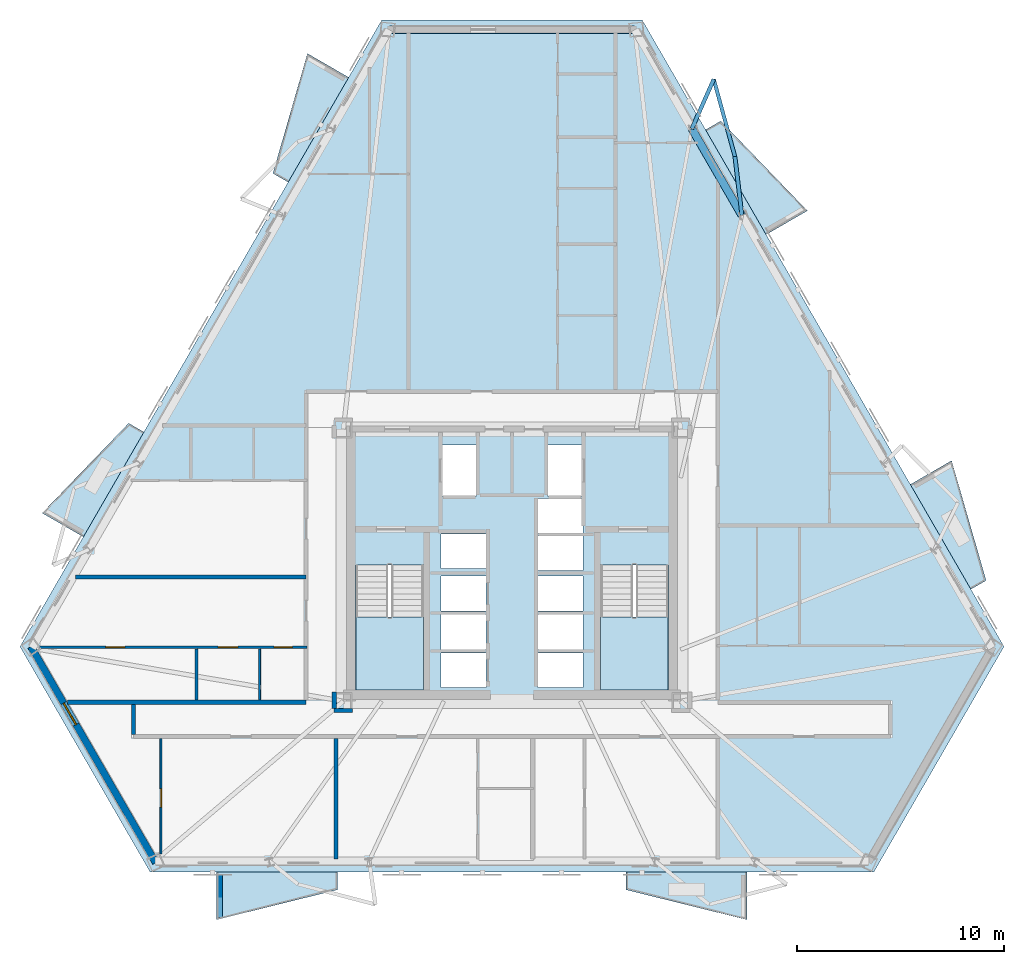
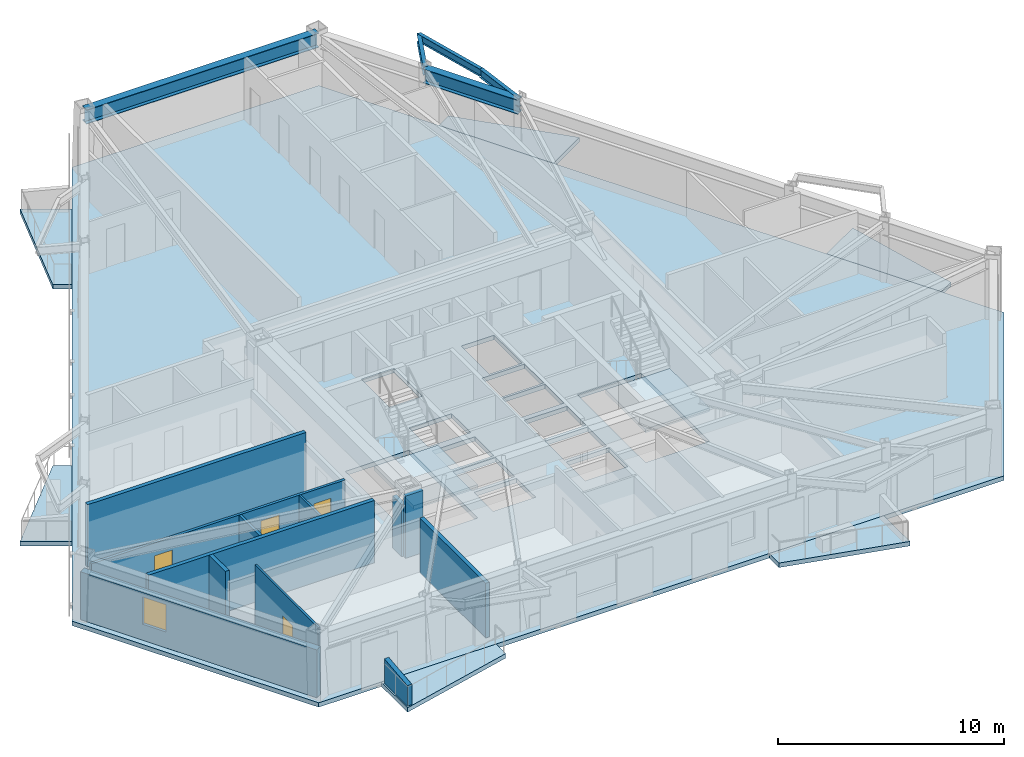
# One storey, part 2 of 10: 12 walls, 9 slabs, 5 beams, 4 doors, 1 window, 5 openings, 2 elements without a shape of their own.
"""IFC4 building model written with IfcOpenShell, lengths in metres."""

from ifc_helpers import new_model, si_unit, direction, frame, frame_2d, origin, origin_2d, place, context, subcontext, project, spatial, polyline, rectangle, i_section, outline, extrude, material, layer, layer_set, material_profile, profile_set, type_object, element, fill, aggregate, save


model = new_model("IFC4")

# Units and contexts
model_context = context("Model", 3, precision=1e-05, world=origin(), true_north=direction((0.0, 1.0)))
body_context = subcontext(model_context, "Body", "Model", "MODEL_VIEW")
ifc_project = project(units=[si_unit("LENGTHUNIT", "METRE"), si_unit("AREAUNIT", "SQUARE_METRE"), si_unit("VOLUMEUNIT", "CUBIC_METRE"), si_unit("PLANEANGLEUNIT", "RADIAN"), si_unit("MASSUNIT", "GRAM", prefix="KILO")], contexts=[model_context])

# Site, building, storey
site_placement = place(None, origin())
site = spatial("IfcSite", under=ifc_project, at=site_placement, CompositionType="ELEMENT")
building_placement = place(site_placement, origin())
building = spatial("IfcBuilding", under=site, at=building_placement, Name="Oramaril Tower", CompositionType="ELEMENT")
storey_placement = place(building_placement, frame((0.0, 0.0, 96.89990234375)))
storey = spatial("IfcBuildingStorey", under=building, at=storey_placement, Name="L25", CompositionType="ELEMENT", Elevation=96.89990234375)

# Beams
ifc_material_1 = material(Name="Steel ASTM A572 Gr 50", Category="steel")
ifc_material_profile_1 = material_profile(ifc_material_1, i_section(OverallWidth=0.19091796875, OverallDepth=0.45703125, WebThickness=0.009033203125, FlangeThickness=0.014404296875, at=origin_2d()), Name="W18X50")
ifc_profile_set_1 = profile_set([ifc_material_profile_1], Name="Steel ASTM A572 Gr 50")
beam_type_1 = type_object("IfcBeamType", Name="BT-BB1", PredefinedType="BEAM", material=ifc_profile_set_1)
beam_1_placement = place(storey_placement, frame((48.609375, 34.4853515625, 3.131591796875), z_axis=(-0.117297591597, 0.99309681049, 0.0), x_axis=(-0.99309681049, -0.117297591597, 0.0)))
element("IfcBeam", 1, at=beam_1_placement, inside=storey, type_object=beam_type_1, Name="L25 Balcony Column-Framed Cantilever 04.1", PredefinedType="BEAM", context=body_context, shape_type="SweptSolid", body=[
    extrude(i_section(OverallWidth=0.19091796875, OverallDepth=0.45703125, WebThickness=0.009033203125, FlangeThickness=0.014404296875, at=origin_2d()), origin(), (0.0, 0.0, 1.0), 2.855712890625),
])
beam_2_placement = place(storey_placement, frame((46.193115234375, 38.670166015625, 3.131591796875), z_axis=(0.40573886327, 0.913989045248, 0.0), x_axis=(-0.913989045248, 0.40573886327, 0.0)))
element("IfcBeam", 2, at=beam_2_placement, inside=storey, type_object=beam_type_1, Name="L25 Balcony Column-Framed Cantilever 04.2", PredefinedType="BEAM", context=body_context, shape_type="SweptSolid", body=[
    extrude(i_section(OverallWidth=0.19091796875, OverallDepth=0.45703125, WebThickness=0.009033203125, FlangeThickness=0.014404296875, at=origin_2d()), origin(), (0.0, 0.0, 1.0), 2.60791015625),
])
ifc_material_2 = material(Name="Steel ASTM A572 Gr 50", Category="steel")
ifc_material_profile_2 = material_profile(ifc_material_2, i_section(OverallWidth=0.177978515625, OverallDepth=0.404052734375, WebThickness=0.007568359375, FlangeThickness=0.010986328125, at=origin_2d()), Name="W16X36")
ifc_profile_set_2 = profile_set([ifc_material_profile_2], Name="Steel ASTM A572 Gr 50")
beam_type_2 = type_object("IfcBeamType", Name="BT-SB1", PredefinedType="BEAM", material=ifc_profile_set_2)
beam_3_placement = place(storey_placement, frame((48.2744140625, 37.3212890625, 3.158203125), z_axis=(-0.264382243015, 0.964417974521, 0.0), x_axis=(-0.964417974521, -0.264382243015, 0.0)))
element("IfcBeam", 3, at=beam_3_placement, inside=storey, type_object=beam_type_2, Name="L25 Balcony Edge Tie Beam 04", PredefinedType="BEAM", context=body_context, shape_type="SweptSolid", body=[
    extrude(i_section(OverallWidth=0.177978515625, OverallDepth=0.404052734375, WebThickness=0.007568359375, FlangeThickness=0.010986328125, at=origin_2d()), origin(), (0.0, 0.0, 1.0), 3.8701171875),
])
ifc_material_3 = material(Name="Steel ASTM A572 Gr 50", Category="steel")
ifc_material_profile_3 = material_profile(ifc_material_3, i_section(OverallWidth=0.381103515625, OverallDepth=0.77197265625, WebThickness=0.0166015625, FlangeThickness=0.027099609375, at=origin_2d()), Name="W30X173")
ifc_profile_set_3 = profile_set([ifc_material_profile_3], Name="Steel ASTM A572 Gr 50")
beam_type_3 = type_object("IfcBeamType", Name="BT-SP2", PredefinedType="SPANDREL", material=ifc_profile_set_3)
beam_4_placement = place(storey_placement, frame((48.609375, 34.4853515625, 2.97412109375), z_axis=(-0.500024214217, 0.866011423248, 0.0), x_axis=(-0.866011423248, -0.500024214217, 0.0)))
element("IfcBeam", 4, at=beam_4_placement, inside=storey, type_object=beam_type_3, Name="L25 Perimeter Spandrel 11", PredefinedType="SPANDREL", context=body_context, shape_type="SweptSolid", body=[
    extrude(i_section(OverallWidth=0.381103515625, OverallDepth=0.77197265625, WebThickness=0.0166015625, FlangeThickness=0.027099609375, at=origin_2d()), origin(), (0.0, 0.0, 1.0), 4.832275390625),
])
beam_5_placement = place(storey_placement, frame((43.431884765625, 43.452880859375, 2.97412109375), z_axis=(-1.0, 0.0, 0.0), x_axis=(0.0, -1.0, 0.0)))
element("IfcBeam", 5, at=beam_5_placement, inside=storey, type_object=beam_type_3, Name="L25 Perimeter Spandrel 13", PredefinedType="SPANDREL", context=body_context, shape_type="SweptSolid", body=[
    extrude(i_section(OverallWidth=0.381103515625, OverallDepth=0.77197265625, WebThickness=0.0166015625, FlangeThickness=0.027099609375, at=origin_2d()), origin(), (0.0, 0.0, 1.0), 11.86376953125),
])

# Slabs
ifc_material_4 = material(Name="Concrete C40/50", Category="concrete")
ifc_layer_1 = layer(ifc_material_4, 0.199951171875)
ifc_layer_set_1 = layer_set([ifc_layer_1], Name="SLT-BAL20")
slab_type_1 = type_object("IfcSlabType", Name="SLT-BAL20", PredefinedType="FLOOR", material=ifc_layer_set_1)
slab_1_placement = place(storey_placement, frame((0.0, 0.0, -0.239990234375)))
element("IfcSlab", 6, at=slab_1_placement, inside=storey, type_object=slab_type_1, Name="L25 Cantilevered Balcony Slab L25-BAL-S1", PredefinedType="FLOOR", context=body_context, shape_type="SweptSolid", body=[
    extrude(outline(polyline([(23.2158203125, 2.740478515625), (29.06591796875, 2.740478515625), (29.06591796875, 1.888671875), (23.2158203125, 0.438720703125), (23.2158203125, 2.740478515625)])), origin(), (0.0, 0.0, 1.0), 0.239990234375),
])
slab_2_placement = place(storey_placement, frame((0.0, 0.0, -0.239990234375)))
element("IfcSlab", 7, at=slab_2_placement, inside=storey, type_object=slab_type_1, Name="L25 Cantilevered Balcony Slab L25-BAL-NE2", PredefinedType="FLOOR", context=body_context, shape_type="SweptSolid", body=[
    extrude(outline(polyline([(49.779296875, 33.550537109375), (46.854248046875, 38.616943359375), (47.592041015625, 39.04296875), (51.772705078125, 34.70166015625), (49.779296875, 33.550537109375)])), origin(), (0.0, 0.0, 1.0), 0.239990234375),
])
slab_3_placement = place(storey_placement, frame((0.0, 0.0, -0.239990234375)))
element("IfcSlab", 8, at=slab_3_placement, inside=storey, type_object=slab_type_1, Name="L25 Cantilevered Balcony Slab L25-BAL-NW1", PredefinedType="FLOOR", context=body_context, shape_type="SweptSolid", body=[
    extrude(outline(polyline([(29.6083984375, 41.14990234375), (26.683349609375, 36.083740234375), (25.945556640625, 36.509765625), (27.61474609375, 42.301025390625), (29.6083984375, 41.14990234375)])), origin(), (0.0, 0.0, 1.0), 0.239990234375),
])
ifc_material_5 = material(Name="Concrete C50/60", Category="concrete")
ifc_layer_2 = layer(ifc_material_5, 0.239990234375)
ifc_layer_set_2 = layer_set([ifc_layer_2], Name="SLT-FLR24")
slab_type_2 = type_object("IfcSlabType", Name="SLT-FLR24", PredefinedType="FLOOR", material=ifc_layer_set_2)
slab_4_placement = place(storey_placement, frame((0.0, 0.0, -0.239990234375)))
element("IfcSlab", 9, at=slab_4_placement, inside=storey, type_object=slab_type_2, Name="L25 Structural Floor Slab", PredefinedType="FLOOR", context=body_context, shape_type="SweptSolid", body=[
    extrude(outline(polyline([(13.72265625, 13.63916015625), (20.015869140625, 2.738525390625), (54.984130859375, 2.738525390625), (61.27734375, 13.63916015625), (43.79345703125, 43.92236328125), (31.20654296875, 43.92236328125), (13.72265625, 13.63916015625)]), holes=[polyline([(29.949951171875, 17.58935546875), (29.949951171875, 11.550048828125), (33.219970703125, 11.550048828125), (33.219970703125, 17.58935546875), (29.949951171875, 17.58935546875)]), polyline([(41.780029296875, 17.58935546875), (41.780029296875, 11.550048828125), (45.050048828125, 11.550048828125), (45.050048828125, 17.58935546875), (41.780029296875, 17.58935546875)]), polyline([(34.110107421875, 20.909912109375), (35.7900390625, 20.909912109375), (35.7900390625, 23.389892578125), (34.110107421875, 23.389892578125), (34.110107421875, 20.909912109375)]), polyline([(39.2099609375, 20.909912109375), (40.889892578125, 20.909912109375), (40.889892578125, 23.389892578125), (39.2099609375, 23.389892578125), (39.2099609375, 20.909912109375)]), polyline([(34.06005859375, 11.659912109375), (36.239990234375, 11.659912109375), (36.239990234375, 13.340087890625), (34.06005859375, 13.340087890625), (34.06005859375, 11.659912109375)]), polyline([(34.06005859375, 13.510009765625), (36.239990234375, 13.510009765625), (36.239990234375, 15.18994140625), (34.06005859375, 15.18994140625), (34.06005859375, 13.510009765625)]), polyline([(34.06005859375, 15.360107421875), (36.239990234375, 15.360107421875), (36.239990234375, 17.0400390625), (34.06005859375, 17.0400390625), (34.06005859375, 15.360107421875)]), polyline([(38.760009765625, 11.659912109375), (40.93994140625, 11.659912109375), (40.93994140625, 13.340087890625), (38.760009765625, 13.340087890625), (38.760009765625, 11.659912109375)]), polyline([(38.760009765625, 13.510009765625), (40.93994140625, 13.510009765625), (40.93994140625, 15.18994140625), (38.760009765625, 15.18994140625), (38.760009765625, 13.510009765625)]), polyline([(38.760009765625, 15.360107421875), (40.93994140625, 15.360107421875), (40.93994140625, 17.0400390625), (38.760009765625, 17.0400390625), (38.760009765625, 15.360107421875)]), polyline([(34.06005859375, 17.409912109375), (36.239990234375, 17.409912109375), (36.239990234375, 19.090087890625), (34.06005859375, 19.090087890625), (34.06005859375, 17.409912109375)]), polyline([(38.760009765625, 17.31005859375), (40.93994140625, 17.31005859375), (40.93994140625, 18.989990234375), (38.760009765625, 18.989990234375), (38.760009765625, 17.31005859375)]), polyline([(38.760009765625, 19.110107421875), (40.93994140625, 19.110107421875), (40.93994140625, 20.7900390625), (38.760009765625, 20.7900390625), (38.760009765625, 19.110107421875)])]), origin(), (0.0, 0.0, 1.0), 0.239990234375),
])

# Stair, slab
ifc_material_6 = material(Name="Concrete C50/60", Category="concrete")
stair_type = type_object("IfcStairType", Name="STT-DG-3600", PredefinedType="HALF_TURN_STAIR", material=ifc_material_6)
stair_1_placement = place(storey_placement, origin())
stair_1 = element("IfcStair", 10, at=stair_1_placement, inside=storey, type_object=stair_type, Name="L25 Protected PFP Exit Stair ST-1", PredefinedType="HALF_TURN_STAIR")
ifc_material_7 = material(Name="Concrete C50/60", Category="concrete")
ifc_layer_3 = layer(ifc_material_7, 0.199951171875)
ifc_layer_set_3 = layer_set([ifc_layer_3], Name="SLT-LND20")
slab_type_3 = type_object("IfcSlabType", Name="SLT-LND20", PredefinedType="LANDING", material=ifc_layer_set_3)
slab_5_placement = place(storey_placement, frame((0.0, 0.0, 1.60009765625)))
slab_5 = element("IfcSlab", 11, at=slab_5_placement, type_object=slab_type_3, Name="ST-1 landing 1", PredefinedType="LANDING", context=body_context, shape_type="SweptSolid", body=[
    extrude(outline(polyline([(29.949951171875, 15.070068359375), (29.949951171875, 11.550048828125), (33.219970703125, 11.550048828125), (33.219970703125, 15.070068359375), (29.949951171875, 15.070068359375)])), origin(), (0.0, 0.0, 1.0), 0.199951171875),
])
aggregate(stair_1, [slab_5])

stair_2_placement = place(storey_placement, origin())
stair_2 = element("IfcStair", 12, at=stair_2_placement, inside=storey, type_object=stair_type, Name="L25 Protected PFP Exit Stair ST-2", PredefinedType="HALF_TURN_STAIR")
slab_6_placement = place(storey_placement, frame((0.0, 0.0, 1.60009765625)))
slab_6 = element("IfcSlab", 13, at=slab_6_placement, type_object=slab_type_3, Name="ST-2 landing 1", PredefinedType="LANDING", context=body_context, shape_type="SweptSolid", body=[
    extrude(outline(polyline([(41.780029296875, 15.070068359375), (41.780029296875, 11.550048828125), (45.050048828125, 11.550048828125), (45.050048828125, 15.070068359375), (41.780029296875, 15.070068359375)])), origin(), (0.0, 0.0, 1.0), 0.199951171875),
])
aggregate(stair_2, [slab_6])

# Slabs
ifc_material_8 = material(Name="Concrete C40/50", Category="concrete")
ifc_layer_4 = layer(ifc_material_8, 0.18994140625)
ifc_layer_set_4 = layer_set([ifc_layer_4], Name="SLT-PLN19")
slab_type_4 = type_object("IfcSlabType", Name="SLT-PLN19", PredefinedType="FLOOR", material=ifc_layer_set_4)
slab_7_placement = place(storey_placement, frame((0.0, 0.0, -0.239990234375)))
element("IfcSlab", 14, at=slab_7_placement, inside=storey, type_object=slab_type_4, Name="L25 Tree Planter Balcony Slab L25-BAL-S2", PredefinedType="FLOOR", context=body_context, shape_type="SweptSolid", body=[
    extrude(outline(polyline([(43.009033203125, 2.740478515625), (48.859130859375, 2.740478515625), (48.859130859375, 0.438720703125), (43.009033203125, 1.888671875), (43.009033203125, 2.740478515625)])), origin(), (0.0, 0.0, 1.0), 0.239990234375),
])
slab_8_placement = place(storey_placement, frame((0.0, 0.0, -0.239990234375)))
element("IfcSlab", 15, at=slab_8_placement, inside=storey, type_object=slab_type_4, Name="L25 Tree Planter Balcony Slab L25-BAL-NE1", PredefinedType="FLOOR", context=body_context, shape_type="SweptSolid", body=[
    extrude(outline(polyline([(59.67578125, 16.409423828125), (56.750732421875, 21.4755859375), (58.744384765625, 22.626708984375), (60.41357421875, 16.83544921875), (59.67578125, 16.409423828125)])), origin(), (0.0, 0.0, 1.0), 0.239990234375),
])
slab_9_placement = place(storey_placement, frame((0.0, 0.0, -0.239990234375)))
element("IfcSlab", 16, at=slab_9_placement, inside=storey, type_object=slab_type_4, Name="L25 Tree Planter Balcony Slab L25-BAL-NW2", PredefinedType="FLOOR", context=body_context, shape_type="SweptSolid", body=[
    extrude(outline(polyline([(19.7119140625, 24.0087890625), (16.786865234375, 18.9423828125), (14.793212890625, 20.093505859375), (18.97412109375, 24.434814453125), (19.7119140625, 24.0087890625)])), origin(), (0.0, 0.0, 1.0), 0.239990234375),
])

# Wall, opening, window
ifc_material_9 = material(Name="Warm Cream Limestone", Category="masonry")
ifc_layer_5 = layer(ifc_material_9, 0.340087890625)
ifc_layer_set_5 = layer_set([ifc_layer_5], Name="WT-EXT34")
wall_type_1 = type_object("IfcWallType", Name="WT-EXT34", PredefinedType="SOLIDWALL", material=ifc_layer_set_5)
wall_1_placement = place(storey_placement, frame((14.25390625, 13.63916015625, 0.0), z_axis=(0.0, 0.0, 1.0), x_axis=(0.499978975251, -0.866037542088, 0.0)))
wall_1 = element("IfcWall", 17, at=wall_1_placement, inside=storey, type_object=wall_type_1, Name="L25 Tower Limestone Facade Wall 1M", PredefinedType="SOLIDWALL", context=body_context, shape_type="SweptSolid", body=[
    extrude(rectangle(XDim=12.0556640625, YDim=0.340087890625, at=frame_2d((6.02783203125, 0.0))), origin(), (0.0, 0.0, 1.0), 2.578125),
])
opening_1_placement = place(wall_1_placement, frame((3.153076171875, 0.0, 0.85009765625)))
opening_1 = element("IfcOpeningElement", 18, at=opening_1_placement, cuts=wall_1, Name="Opening WN-09", PredefinedType="OPENING", context=body_context, shape_type="SweptSolid", body=[
    extrude(rectangle(XDim=1.199951171875, YDim=1.47998046875, at=frame_2d((0.60009765625, 0.739990234375))), frame((0.0, 0.169921875, 0.0), z_axis=(0.0, -1.0, 0.0), x_axis=(1.0, 0.0, 0.0)), (0.0, 0.0, 1.0), 0.340087890625),
])
ifc_material_10 = material(Name="Coastal Low-E Insulated Glass", Category="glass")
window_type = type_object("IfcWindowType", Name="WNT-09", PartitioningType="SINGLE_PANEL", PredefinedType="WINDOW", material=ifc_material_10)
window_placement = place(opening_1_placement, origin())
window = element("IfcWindow", 19, at=window_placement, inside=storey, type_object=window_type, Name="L25 Apartment Bedroom Window WN-09", OverallHeight=1.47998046875, OverallWidth=1.199951171875, PartitioningType="SINGLE_PANEL", PredefinedType="WINDOW", context=body_context, shape_type="SweptSolid", body=[
    extrude(rectangle(XDim=1.199951171875, YDim=1.47998046875, at=frame_2d((0.60009765625, 0.739990234375))), frame((0.0, 0.030029296875, 0.0), z_axis=(0.0, -1.0, 0.0), x_axis=(1.0, 0.0, 0.0)), (0.0, 0.0, 1.0), 0.06005859375),
])
fill(opening_1, window)

# Wall
ifc_material_11 = material(Name="Concrete C40/50", Category="concrete")
ifc_layer_6 = layer(ifc_material_11, 0.22998046875)
ifc_layer_set_6 = layer_set([ifc_layer_6], Name="WT-PRP23")
wall_type_2 = type_object("IfcWallType", Name="WT-PRP23", PredefinedType="PARAPET", material=ifc_layer_set_6)
wall_2_placement = place(storey_placement, frame((23.39599609375, 2.6005859375, 0.0), z_axis=(0.0, 0.0, 1.0), x_axis=(0.0, -1.0, 0.0)))
element("IfcWall", 20, at=wall_2_placement, inside=storey, type_object=wall_type_2, Name="L25 Trapezoidal Balcony Frame Cheek L25-BAL-S1-L", PredefinedType="PARAPET", context=body_context, shape_type="SweptSolid", body=[
    extrude(outline(polyline([(0.0, 0.0), (2.0419921875, 0.0), (2.0419921875, 1.10009765625), (0.0, 1.320068359375), (0.0, 0.0)])), frame((0.0, 0.114990234375, 0.0), z_axis=(0.0, -1.0, 0.0), x_axis=(1.0, 0.0, 0.0)), (0.0, 0.0, 1.0), 0.22998046875),
])

# Wall, opening, door
ifc_material_12 = material(Name="Acoustic Gypsum Board Partition")
ifc_layer_7 = layer(ifc_material_12, 0.10009765625)
ifc_layer_set_7 = layer_set([ifc_layer_7], Name="WT-PT10")
wall_type_3 = type_object("IfcWallType", Name="WT-PT10", PredefinedType="PARTITIONING", material=ifc_layer_set_7)
wall_3_placement = place(storey_placement, frame((20.5400390625, 3.607421875, 0.0), z_axis=(0.0, 0.0, 1.0), x_axis=(0.0, 1.0, 0.0)))
wall_3 = element("IfcWall", 21, at=wall_3_placement, inside=storey, type_object=wall_type_3, Name="L25 Interior Partition PT-10", PredefinedType="PARTITIONING", context=body_context, shape_type="SweptSolid", body=[
    extrude(rectangle(XDim=5.588623046875, YDim=0.10009765625, at=frame_2d((2.79443359375, 0.0))), origin(), (0.0, 0.0, 1.0), 3.360107421875),
])
opening_2_placement = place(wall_3_placement, frame((2.27685546875, 0.0, 0.0)))
opening_2 = element("IfcOpeningElement", 22, at=opening_2_placement, cuts=wall_3, Name="Opening D-L25-20", PredefinedType="OPENING", context=body_context, shape_type="SweptSolid", body=[
    extrude(rectangle(XDim=0.8798828125, YDim=2.080078125, at=frame_2d((0.43994140625, 1.0400390625))), frame((0.0, 0.050048828125, 0.0), z_axis=(0.0, -1.0, 0.0), x_axis=(1.0, 0.0, 0.0)), (0.0, 0.0, 1.0), 0.10009765625),
])
ifc_material_13 = material(Name="FSC Brazilian Freijo Hardwood", Category="wood")
door_type_1 = type_object("IfcDoorType", Name="DT-BATH", OperationType="NOTDEFINED", PredefinedType="DOOR", material=ifc_material_13)
door_1_placement = place(opening_2_placement, origin())
door_1 = element("IfcDoor", 23, at=door_1_placement, inside=storey, type_object=door_type_1, Name="L25 Flat L25-U1 Bathroom Door D-L25-20", OperationType="SINGLE_SWING_RIGHT", OverallHeight=2.080078125, OverallWidth=0.8798828125, PredefinedType="DOOR", context=body_context, shape_type="SweptSolid", body=[
    extrude(rectangle(XDim=0.8798828125, YDim=2.080078125, at=frame_2d((0.43994140625, 1.0400390625))), frame((0.0, 0.02490234375, 0.0), z_axis=(0.0, -1.0, 0.0), x_axis=(1.0, 0.0, 0.0)), (0.0, 0.0, 1.0), 0.050048828125),
])
fill(opening_2, door_1)

# Wall
wall_4_placement = place(storey_placement, frame((25.300048828125, 11.053955078125, 0.0), z_axis=(0.0, 0.0, 1.0), x_axis=(0.0, 1.0, 0.0)))
element("IfcWall", 24, at=wall_4_placement, inside=storey, type_object=wall_type_3, Name="L25 Interior Partition PT-10", PredefinedType="PARTITIONING", context=body_context, shape_type="SweptSolid", body=[
    extrude(rectangle(XDim=2.48193359375, YDim=0.10009765625, at=frame_2d((1.240966796875, 0.0))), origin(), (0.0, 0.0, 1.0), 2.814208984375),
])

# Wall, openings, doors
ifc_material_14 = material(Name="Acoustic Gypsum Board Partition")
ifc_layer_8 = layer(ifc_material_14, 0.139892578125)
ifc_layer_set_8 = layer_set([ifc_layer_8], Name="WT-PT14")
wall_type_4 = type_object("IfcWallType", Name="WT-PT14", PredefinedType="PARTITIONING", material=ifc_layer_set_8)
wall_5_placement = place(storey_placement, frame((14.646728515625, 13.610107421875, 0.0), z_axis=(0.0, 0.0, 1.0), x_axis=(1.0, 0.0, 0.0)))
wall_5 = element("IfcWall", 25, at=wall_5_placement, inside=storey, type_object=wall_type_4, Name="L25 Interior Partition PT-14", PredefinedType="PARTITIONING", context=body_context, shape_type="SweptSolid", body=[
    extrude(rectangle(XDim=12.953369140625, YDim=0.139892578125, at=frame_2d((6.4765625, 0.0))), origin(), (0.0, 0.0, 1.0), 2.814208984375),
])
opening_3_placement = place(wall_5_placement, frame((3.22607421875, 0.0, 0.0)))
opening_3 = element("IfcOpeningElement", 26, at=opening_3_placement, cuts=wall_5, Name="Opening D-L25-05", PredefinedType="OPENING", context=body_context, shape_type="SweptSolid", body=[
    extrude(rectangle(XDim=0.919921875, YDim=2.1201171875, at=frame_2d((0.4599609375, 1.06005859375))), frame((0.0, 0.06982421875, 0.0), z_axis=(0.0, -1.0, 0.0), x_axis=(1.0, 0.0, 0.0)), (0.0, 0.0, 1.0), 0.139892578125),
])
opening_4_placement = place(wall_5_placement, frame((8.65625, 0.0, 0.0)))
opening_4 = element("IfcOpeningElement", 27, at=opening_4_placement, cuts=wall_5, Name="Opening D-L25-06", PredefinedType="OPENING", context=body_context, shape_type="SweptSolid", body=[
    extrude(rectangle(XDim=0.949951171875, YDim=2.10009765625, at=frame_2d((0.47509765625, 1.050048828125))), frame((0.0, 0.06982421875, 0.0), z_axis=(0.0, -1.0, 0.0), x_axis=(1.0, 0.0, 0.0)), (0.0, 0.0, 1.0), 0.139892578125),
])
opening_5_placement = place(wall_5_placement, frame((11.354736328125, 0.0, 0.0)))
opening_5 = element("IfcOpeningElement", 28, at=opening_5_placement, cuts=wall_5, Name="Opening D-L25-07", PredefinedType="OPENING", context=body_context, shape_type="SweptSolid", body=[
    extrude(rectangle(XDim=0.8798828125, YDim=2.080078125, at=frame_2d((0.43994140625, 1.0400390625))), frame((0.0, 0.06982421875, 0.0), z_axis=(0.0, -1.0, 0.0), x_axis=(1.0, 0.0, 0.0)), (0.0, 0.0, 1.0), 0.139892578125),
])
door_2_placement = place(opening_5_placement, origin())
door_2 = element("IfcDoor", 29, at=door_2_placement, inside=storey, type_object=door_type_1, Name="L25 Flat L25-U4 Bathroom Door D-L25-07", OperationType="SINGLE_SWING_LEFT", OverallHeight=2.080078125, OverallWidth=0.8798828125, PredefinedType="DOOR", context=body_context, shape_type="SweptSolid", body=[
    extrude(rectangle(XDim=0.8798828125, YDim=2.080078125, at=frame_2d((0.43994140625, 1.0400390625))), frame((0.0, 0.02490234375, 0.0), z_axis=(0.0, -1.0, 0.0), x_axis=(1.0, 0.0, 0.0)), (0.0, 0.0, 1.0), 0.050048828125),
])
fill(opening_5, door_2)
ifc_material_15 = material(Name="FSC Brazilian Freijo Hardwood", Category="wood")
door_type_2 = type_object("IfcDoorType", Name="DT-BED", OperationType="NOTDEFINED", PredefinedType="DOOR", material=ifc_material_15)
door_3_placement = place(opening_3_placement, origin())
door_3 = element("IfcDoor", 30, at=door_3_placement, inside=storey, type_object=door_type_2, Name="L25 Flat L25-U4 Master Bedroom Door D-L25-05", OperationType="SINGLE_SWING_LEFT", OverallHeight=2.1201171875, OverallWidth=0.919921875, PredefinedType="DOOR", context=body_context, shape_type="SweptSolid", body=[
    extrude(rectangle(XDim=0.919921875, YDim=2.1201171875, at=frame_2d((0.4599609375, 1.06005859375))), frame((0.0, 0.02490234375, 0.0), z_axis=(0.0, -1.0, 0.0), x_axis=(1.0, 0.0, 0.0)), (0.0, 0.0, 1.0), 0.050048828125),
])
fill(opening_3, door_3)
ifc_material_16 = material(Name="FSC Brazilian Freijo Hardwood", Category="wood")
door_type_3 = type_object("IfcDoorType", Name="DT-STDY", OperationType="NOTDEFINED", PredefinedType="DOOR", material=ifc_material_16)
door_4_placement = place(opening_4_placement, origin())
door_4 = element("IfcDoor", 31, at=door_4_placement, inside=storey, type_object=door_type_3, Name="L25 Flat L25-U4 Kitchen Door D-L25-06", OperationType="SINGLE_SWING_RIGHT", OverallHeight=2.10009765625, OverallWidth=0.949951171875, PredefinedType="DOOR", context=body_context, shape_type="SweptSolid", body=[
    extrude(rectangle(XDim=0.949951171875, YDim=2.10009765625, at=frame_2d((0.47509765625, 1.050048828125))), frame((0.0, 0.02490234375, 0.0), z_axis=(0.0, -1.0, 0.0), x_axis=(1.0, 0.0, 0.0)), (0.0, 0.0, 1.0), 0.050048828125),
])
fill(opening_4, door_4)

# Walls
wall_6_placement = place(storey_placement, frame((22.25, 11.053955078125, 0.0), z_axis=(0.0, 0.0, 1.0), x_axis=(0.0, 1.0, 0.0)))
element("IfcWall", 32, at=wall_6_placement, inside=storey, type_object=wall_type_4, Name="L25 Interior Partition PT-14", PredefinedType="PARTITIONING", context=body_context, shape_type="SweptSolid", body=[
    extrude(rectangle(XDim=2.48193359375, YDim=0.139892578125, at=frame_2d((1.240966796875, 0.0))), origin(), (0.0, 0.0, 1.0), 2.814208984375),
])
ifc_material_17 = material(Name="Autoclaved Cellular Concrete Block", Category="concrete")
ifc_layer_9 = layer(ifc_material_17, 0.199951171875)
ifc_layer_set_9 = layer_set([ifc_layer_9], Name="WT-PT20")
wall_type_5 = type_object("IfcWallType", Name="WT-PT20", PredefinedType="PARTITIONING", material=ifc_layer_set_9)
wall_7_placement = place(storey_placement, frame((28.905029296875, 10.550048828125, 0.0), z_axis=(0.0, 0.0, 1.0), x_axis=(1.0, 0.0, 0.0)))
element("IfcWall", 33, at=wall_7_placement, inside=storey, type_object=wall_type_5, Name="L25 Interior Partition PT-20", PredefinedType="PARTITIONING", context=body_context, shape_type="SweptSolid", body=[
    extrude(rectangle(XDim=0.889892578125, YDim=0.199951171875, at=frame_2d((0.44482421875, 0.0))), origin(), (0.0, 0.0, 1.0), 3.360107421875),
])
wall_8_placement = place(storey_placement, frame((16.007080078125, 10.949951171875, 0.0), z_axis=(0.0, 0.0, 1.0), x_axis=(1.0, 0.0, 0.0)))
element("IfcWall", 34, at=wall_8_placement, inside=storey, type_object=wall_type_5, Name="L25 Interior Partition PT-20", PredefinedType="PARTITIONING", context=body_context, shape_type="SweptSolid", body=[
    extrude(rectangle(XDim=11.54296875, YDim=0.199951171875, at=frame_2d((5.771484375, 0.0))), origin(), (0.0, 0.0, 1.0), 3.360107421875),
])
wall_9_placement = place(storey_placement, frame((16.39501953125, 17.0, 0.0), z_axis=(0.0, 0.0, 1.0), x_axis=(1.0, 0.0, 0.0)))
element("IfcWall", 35, at=wall_9_placement, inside=storey, type_object=wall_type_5, Name="L25 Interior Partition PT-20", PredefinedType="PARTITIONING", context=body_context, shape_type="SweptSolid", body=[
    extrude(rectangle(XDim=11.155029296875, YDim=0.199951171875, at=frame_2d((5.57763671875, 0.0))), origin(), (0.0, 0.0, 1.0), 3.360107421875),
])
wall_10_placement = place(storey_placement, frame((19.199951171875, 9.404052734375, 0.0), z_axis=(0.0, 0.0, 1.0), x_axis=(0.0, 1.0, 0.0)))
element("IfcWall", 36, at=wall_10_placement, inside=storey, type_object=wall_type_5, Name="L25 Interior Partition PT-20", PredefinedType="PARTITIONING", context=body_context, shape_type="SweptSolid", body=[
    extrude(rectangle(XDim=1.44189453125, YDim=0.199951171875, at=frame_2d((0.720947265625, 0.0))), origin(), (0.0, 0.0, 1.0), 3.360107421875),
])
wall_11_placement = place(storey_placement, frame((28.909912109375, 10.654052734375, 0.0), z_axis=(0.0, 0.0, 1.0), x_axis=(0.0, 1.0, 0.0)))
element("IfcWall", 37, at=wall_11_placement, inside=storey, type_object=wall_type_5, Name="L25 Interior Partition PT-20", PredefinedType="PARTITIONING", context=body_context, shape_type="SweptSolid", body=[
    extrude(rectangle(XDim=0.785888671875, YDim=0.199951171875, at=frame_2d((0.39306640625, 0.0))), origin(), (0.0, 0.0, 1.0), 2.814208984375),
])
wall_12_placement = place(storey_placement, frame((29.0, 3.37255859375, 0.0), z_axis=(0.0, 0.0, 1.0), x_axis=(0.0, 1.0, 0.0)))
element("IfcWall", 38, at=wall_12_placement, inside=storey, type_object=wall_type_5, Name="L25 Interior Partition PT-20", PredefinedType="PARTITIONING", context=body_context, shape_type="SweptSolid", body=[
    extrude(rectangle(XDim=5.823486328125, YDim=0.199951171875, at=frame_2d((2.91162109375, 0.0))), origin(), (0.0, 0.0, 1.0), 2.946044921875),
])

save(model, "model.ifc")
